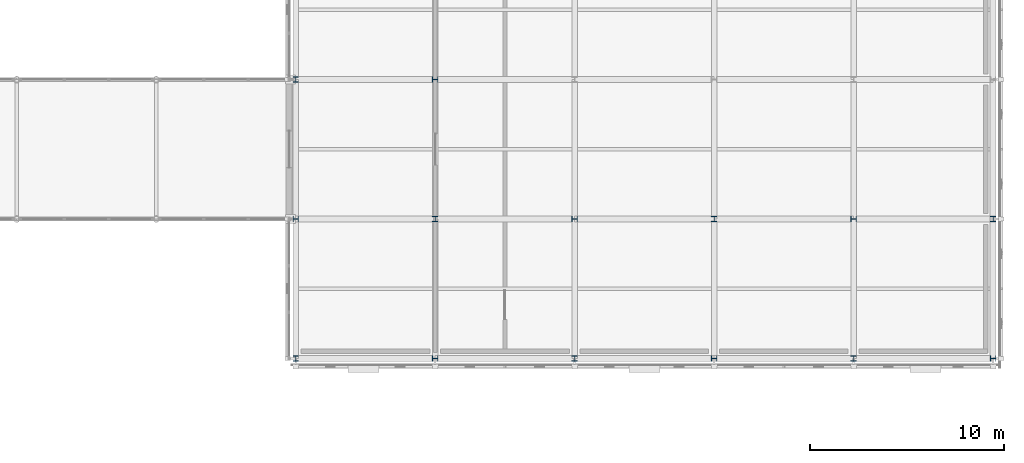
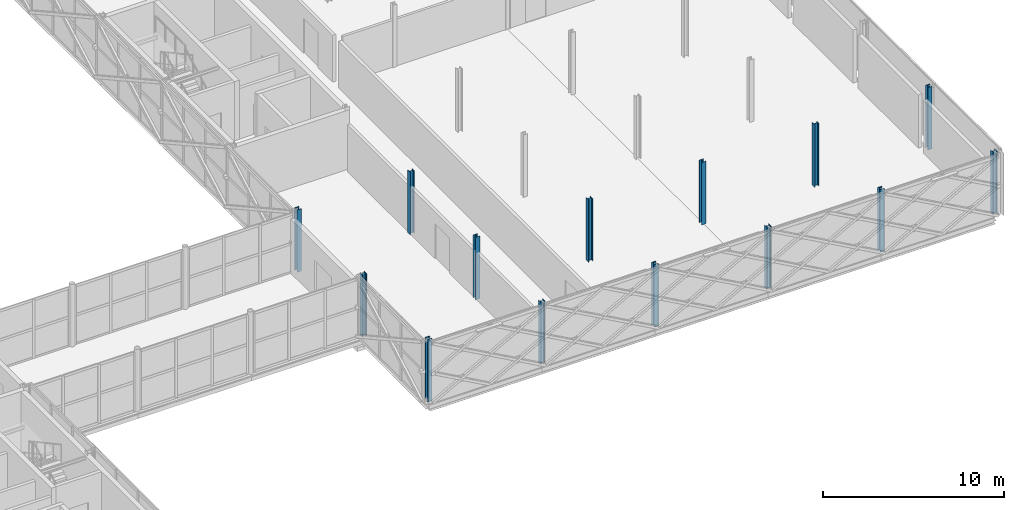
# One storey, part 19 of 146: 14 columns.
"""IFC4 building model written with IfcOpenShell, lengths in metres."""

from ifc_helpers import new_model, si_unit, direction, frame, origin, origin_2d, place, context, subcontext, project, spatial, i_section, extrude, material, material_profile, profile_set, type_object, element, save


model = new_model("IFC4")

# Units and contexts
model_context = context("Model", 3, precision=1e-05, world=origin(), true_north=direction((0.0, 1.0)))
body_context = subcontext(model_context, "Body", "Model", "MODEL_VIEW")
ifc_project = project(units=[si_unit("LENGTHUNIT", "METRE"), si_unit("AREAUNIT", "SQUARE_METRE"), si_unit("VOLUMEUNIT", "CUBIC_METRE"), si_unit("PLANEANGLEUNIT", "RADIAN"), si_unit("MASSUNIT", "GRAM", prefix="KILO")], contexts=[model_context])

# Site, building, storey
site_placement = place(None, origin())
site = spatial("IfcSite", under=ifc_project, at=site_placement, CompositionType="ELEMENT")
building_placement = place(site_placement, origin())
building = spatial("IfcBuilding", under=site, at=building_placement, Name="Zlatovets Crest Museum", CompositionType="ELEMENT")
storey_placement = place(building_placement, frame((0.0, 0.0, 4.5)))
storey = spatial("IfcBuildingStorey", under=building, at=storey_placement, Name="L01", CompositionType="ELEMENT", Elevation=4.5)

# Columns
ifc_material = material(Name="Structural steel S355J2", Category="steel")
ifc_material_profile = material_profile(ifc_material, i_section(OverallWidth=0.280029296875, OverallDepth=0.280029296875, WebThickness=0.010498046875, FlangeThickness=0.01806640625, FilletRadius=0.02392578125, at=origin_2d()), Name="HEB 280")
ifc_profile_set = profile_set([ifc_material_profile], Name="Structural steel S355J2")
column_type = type_object("IfcColumnType", Name="Col_C-17", PredefinedType="COLUMN", material=ifc_profile_set)
for number, where, z_axis, x_axis, name in (
    (1, (129.60009765625, 14.39990234375, 0.0), (0.0, 0.0, 1.0), (1.0, 0.0, 0.0), "V5 L01 Column (129.6, 14.4)"),
    (2, (129.60009765625, 21.60009765625, 0.0), (0.0, 0.0, 1.0), (0.0, 1.0, 0.0), "V5 L01 Column (129.6, 21.6)"),
    (3, (129.60009765625, 28.800048828125, 0.0), (0.0, 0.0, 1.0), (1.0, 0.0, 0.0), "V5 L01 Column (129.6, 28.8)"),
    (4, (136.800048828125, 14.39990234375, 0.0), (0.0, 0.0, 1.0), (0.0, 1.0, 0.0), "V5 L01 Column (136.8, 14.4)"),
    (5, (136.800048828125, 21.60009765625, 0.0), (0.0, 0.0, 1.0), (1.0, 0.0, 0.0), "V5 L01 Column (136.8, 21.6)"),
    (6, (136.800048828125, 28.800048828125, 0.0), (0.0, 0.0, 1.0), (0.0, 1.0, 0.0), "V5 L01 Column (136.8, 28.8)"),
    (7, (144.0, 14.39990234375, 0.0), (0.0, 0.0, 1.0), (1.0, 0.0, 0.0), "V5 L01 Column (144.0, 14.4)"),
    (8, (144.0, 21.60009765625, 0.0), (0.0, 0.0, 1.0), (0.0, 1.0, 0.0), "V5 L01 Column (144.0, 21.6)"),
    (9, (151.199951171875, 14.39990234375, 0.0), (0.0, 0.0, 1.0), (0.0, 1.0, 0.0), "V5 L01 Column (151.2, 14.4)"),
    (10, (151.199951171875, 21.60009765625, 0.0), (0.0, 0.0, 1.0), (1.0, 0.0, 0.0), "V5 L01 Column (151.2, 21.6)"),
    (11, (158.39990234375, 14.39990234375, 0.0), (0.0, 0.0, 1.0), (1.0, 0.0, 0.0), "V5 L01 Column (158.4, 14.4)"),
    (12, (158.39990234375, 21.60009765625, 0.0), (0.0, 0.0, 1.0), (0.0, 1.0, 0.0), "V5 L01 Column (158.4, 21.6)"),
    (13, (165.60009765625, 14.39990234375, 0.0), (0.0, 0.0, 1.0), (0.0, 1.0, 0.0), "V5 L01 Column (165.6, 14.4)"),
    (14, (165.60009765625, 21.60009765625, 0.0), (0.0, 0.0, 1.0), (1.0, 0.0, 0.0), "V5 L01 Column (165.6, 21.6)"),
):
    element("IfcColumn", number, at=place(storey_placement, frame(where, z_axis=z_axis, x_axis=x_axis)), inside=storey, type_object=column_type, Name=name, PredefinedType="COLUMN", context=body_context, shape_type="SweptSolid", body=[
        extrude(i_section(OverallWidth=0.280029296875, OverallDepth=0.280029296875, WebThickness=0.010498046875, FlangeThickness=0.01806640625, FilletRadius=0.02392578125, at=origin_2d()), origin(), (0.0, 0.0, 1.0), 4.199951171875),
    ])

save(model, "model.ifc")
